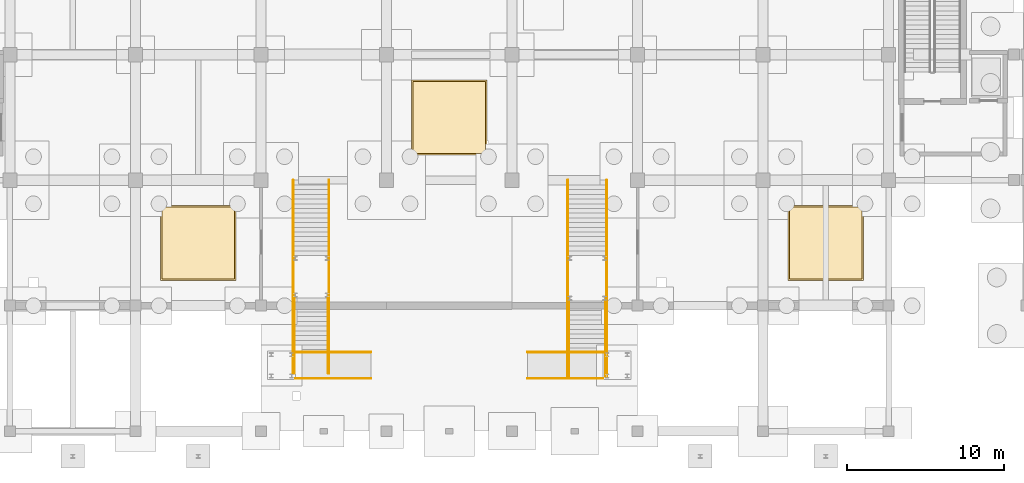
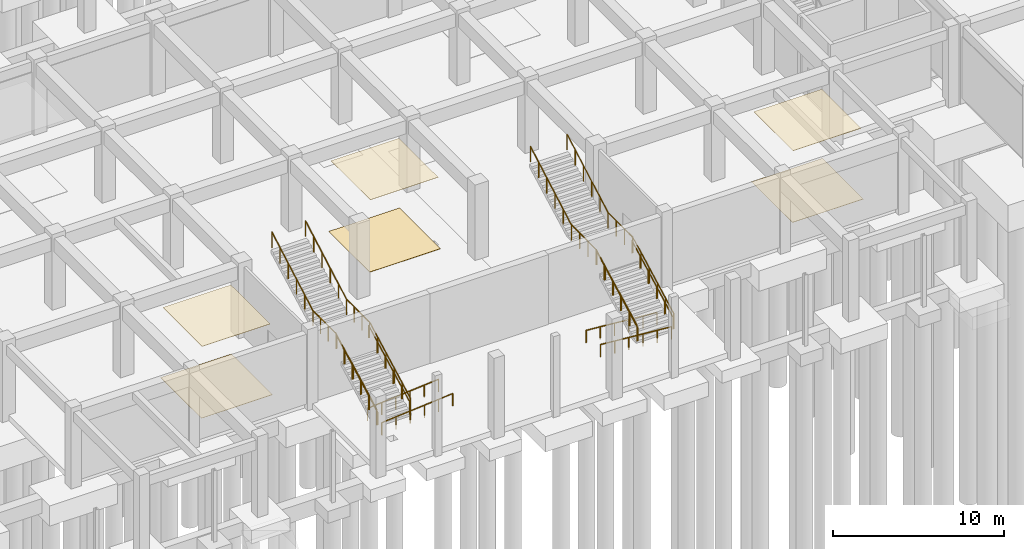
# One storey, part 37 of 45: 12 railings, 6 coverings.
"""IFC4 building model written with IfcOpenShell, lengths in metres."""

from ifc_helpers import new_model, si_unit, direction, frame, origin, origin_2d, place, context, subcontext, project, spatial, rectangle, circle, extrude, material, layer, layer_set, type_object, element, save


model = new_model("IFC4")

# Units and contexts
model_context = context("Model", 3, precision=1e-05, world=origin(), true_north=direction((0.0, 1.0)))
body_context = subcontext(model_context, "Body", "Model", "MODEL_VIEW")
ifc_project = project(units=[si_unit("LENGTHUNIT", "METRE"), si_unit("AREAUNIT", "SQUARE_METRE"), si_unit("VOLUMEUNIT", "CUBIC_METRE"), si_unit("PLANEANGLEUNIT", "RADIAN"), si_unit("MASSUNIT", "GRAM", prefix="KILO")], contexts=[model_context])

# Site, building, storey
site_placement = place(None, origin())
site = spatial("IfcSite", under=ifc_project, at=site_placement, CompositionType="ELEMENT")
building_placement = place(site_placement, origin())
building = spatial("IfcBuilding", under=site, at=building_placement, Name="Kenh Van Central Station", CompositionType="ELEMENT")
storey_placement = place(building_placement, frame((0.0, 0.0, -5.39990234375)))
storey = spatial("IfcBuildingStorey", under=building, at=storey_placement, Name="B1", CompositionType="ELEMENT", Elevation=-5.39990234375)

# Coverings
ifc_material_1 = material(Name="Perforated acoustic mineral ceiling board")
ifc_layer_1 = layer(ifc_material_1, 0.02490234375, Name="Perforated acoustic mineral ceiling board")
ifc_layer_set_1 = layer_set([ifc_layer_1], Name="Perforated acoustic mineral ceiling board")
covering_type_1 = type_object("IfcCoveringType", Name="COV-CEIL-ACOUST", PredefinedType="CEILING", material=ifc_layer_set_1)
for number, where, z_axis, x_axis, name in (
    (1, (84.0, 20.0, 5.076904296875), (0.0, 0.0, 1.0), (1.0, 0.0, 0.0), "B1 acoustic ceiling panel 009"),
    (2, (68.0, 12.0, 5.036865234375), (0.0, 0.0, 1.0), (1.0, 0.0, 0.0), "B1 acoustic ceiling panel 010"),
    (3, (108.0, 12.0, 5.036865234375), (0.0, 0.0, 1.0), (1.0, 0.0, 0.0), "B1 acoustic ceiling panel 011"),
):
    element("IfcCovering", number, at=place(storey_placement, frame(where, z_axis=z_axis, x_axis=x_axis)), inside=storey, type_object=covering_type_1, Name=name, PredefinedType="CEILING", context=body_context, shape_type="SweptSolid", body=[
        extrude(rectangle(XDim=4.60009765625, YDim=4.60009765625, at=origin_2d()), origin(), (0.0, 0.0, 1.0), 0.02490234375),
    ])
ifc_material_2 = material(Name="Polished station granite terrazzo", Category="masonry")
ifc_layer_2 = layer(ifc_material_2, 0.02001953125, Name="Polished station granite terrazzo")
ifc_layer_set_2 = layer_set([ifc_layer_2], Name="Polished station granite terrazzo")
covering_type_2 = type_object("IfcCoveringType", Name="COV-FLR-GRANITE", PredefinedType="FLOORING", material=ifc_layer_set_2)
for number, where, z_axis, x_axis, name in (
    (4, (84.0, 20.0, 0.0), (0.0, 0.0, 1.0), (1.0, 0.0, 0.0), "B1 granite floor finish 009"),
    (5, (68.0, 12.0, 0.0), (0.0, 0.0, 1.0), (1.0, 0.0, 0.0), "B1 granite floor finish 010"),
    (6, (108.0, 12.0, 0.0), (0.0, 0.0, 1.0), (1.0, 0.0, 0.0), "B1 granite floor finish 011"),
):
    element("IfcCovering", number, at=place(storey_placement, frame(where, z_axis=z_axis, x_axis=x_axis)), inside=storey, type_object=covering_type_2, Name=name, PredefinedType="FLOORING", context=body_context, shape_type="SweptSolid", body=[
        extrude(rectangle(XDim=4.800048828125, YDim=4.800048828125, at=origin_2d()), origin(), (0.0, 0.0, 1.0), 0.02001953125),
    ])

# Railings
ifc_material_3 = material(Name="Champagne anodised aluminium", Category="aluminium")
railing_type_1 = type_object("IfcRailingType", Name="RAIL-CORE-HND90", PredefinedType="HANDRAIL", material=ifc_material_3)
for number, where, name in (
    (7, (76.280029296875, 3.699951171875, 0.15869140625), "Metro Forecourt West Amphitheatre Stair handrail 1"),
    (8, (74.1201171875, 3.699951171875, 0.15869140625), "Metro Forecourt West Amphitheatre Stair handrail 2"),
    (9, (93.97998046875, 3.5, 0.15869140625), "Metro Forecourt East Amphitheatre Stair handrail 1"),
    (10, (91.6201171875, 3.5, 0.15869140625), "Metro Forecourt East Amphitheatre Stair handrail 2"),
):
    element("IfcRailing", number, at=place(storey_placement, frame(where)), inside=storey, type_object=railing_type_1, Name=name, PredefinedType="HANDRAIL", context=body_context, shape_type="SweptSolid", body=[
        extrude(circle(Radius=0.02392578125, at=origin_2d()), frame((0.0, 0.0, 0.8759765625), z_axis=(0.0, 0.883783542688, 0.467895981682), x_axis=(-1.0, 0.0, 0.0)), (0.0, 0.0, 1.0), 5.43115234375),
        extrude(circle(Radius=0.02099609375, at=origin_2d()), origin(), (0.0, 0.0, 1.0), 0.851806640625),
        extrude(circle(Radius=0.02099609375, at=origin_2d()), frame((0.0, 0.9599609375, 0.50830078125)), (0.0, 0.0, 1.0), 0.851806640625),
        extrude(circle(Radius=0.02099609375, at=origin_2d()), frame((0.0, 1.919921875, 1.0166015625)), (0.0, 0.0, 1.0), 0.851806640625),
        extrude(circle(Radius=0.02099609375, at=origin_2d()), frame((0.0, 2.880126953125, 1.524658203125)), (0.0, 0.0, 1.0), 0.851806640625),
        extrude(circle(Radius=0.02099609375, at=origin_2d()), frame((0.0, 3.840087890625, 2.032958984375)), (0.0, 0.0, 1.0), 0.851806640625),
        extrude(circle(Radius=0.02099609375, at=origin_2d()), frame((0.0, 4.800048828125, 2.541259765625)), (0.0, 0.0, 1.0), 0.851806640625),
    ])
for number, where, name in (
    (11, (74.199951171875, 3.360107421875, -0.400146484375), "Sunken Metro Plaza West Garden Ramp handrail 1"),
    (12, (74.199951171875, 5.0400390625, -0.400146484375), "Sunken Metro Plaza West Garden Ramp handrail 2"),
):
    element("IfcRailing", number, at=place(storey_placement, frame(where)), inside=storey, type_object=railing_type_1, Name=name, PredefinedType="HANDRAIL", context=body_context, shape_type="SweptSolid", body=[
        extrude(circle(Radius=0.02392578125, at=origin_2d()), frame((0.0, 0.0, 0.8759765625), z_axis=(0.996543310888, 0.0, 0.083074842915), x_axis=(0.0, 1.0, 0.0)), (0.0, 0.0, 1.0), 4.816650390625),
        extrude(circle(Radius=0.02099609375, at=origin_2d()), origin(), (0.0, 0.0, 1.0), 0.851806640625),
        extrude(circle(Radius=0.02099609375, at=origin_2d()), frame((0.9599609375, 0.0, 0.080078125)), (0.0, 0.0, 1.0), 0.851806640625),
        extrude(circle(Radius=0.02099609375, at=origin_2d()), frame((1.919921875, 0.0, 0.16015625)), (0.0, 0.0, 1.0), 0.851806640625),
        extrude(circle(Radius=0.02099609375, at=origin_2d()), frame((2.880126953125, 0.0, 0.239990234375)), (0.0, 0.0, 1.0), 0.851806640625),
        extrude(circle(Radius=0.02099609375, at=origin_2d()), frame((3.840087890625, 0.0, 0.320068359375)), (0.0, 0.0, 1.0), 0.851806640625),
        extrude(circle(Radius=0.02099609375, at=origin_2d()), frame((4.800048828125, 0.0, 0.400146484375)), (0.0, 0.0, 1.0), 0.851806640625),
    ])
for number, where, name in (
    (13, (93.800048828125, 5.0400390625, -0.400146484375), "Sunken Metro Plaza East Garden Ramp handrail 1"),
    (14, (93.800048828125, 3.360107421875, -0.400146484375), "Sunken Metro Plaza East Garden Ramp handrail 2"),
):
    element("IfcRailing", number, at=place(storey_placement, frame(where)), inside=storey, type_object=railing_type_1, Name=name, PredefinedType="HANDRAIL", context=body_context, shape_type="SweptSolid", body=[
        extrude(circle(Radius=0.02392578125, at=origin_2d()), frame((0.0, 0.0, 0.8759765625), z_axis=(-0.996543310888, 0.0, 0.083074842915), x_axis=(0.0, -1.0, 0.0)), (0.0, 0.0, 1.0), 4.816650390625),
        extrude(circle(Radius=0.02099609375, at=origin_2d()), origin(), (0.0, 0.0, 1.0), 0.851806640625),
        extrude(circle(Radius=0.02099609375, at=origin_2d()), frame((-0.9599609375, 0.0, 0.080078125)), (0.0, 0.0, 1.0), 0.851806640625),
        extrude(circle(Radius=0.02099609375, at=origin_2d()), frame((-1.919921875, 0.0, 0.16015625)), (0.0, 0.0, 1.0), 0.851806640625),
        extrude(circle(Radius=0.02099609375, at=origin_2d()), frame((-2.880126953125, 0.0, 0.239990234375)), (0.0, 0.0, 1.0), 0.851806640625),
        extrude(circle(Radius=0.02099609375, at=origin_2d()), frame((-3.840087890625, 0.0, 0.320068359375)), (0.0, 0.0, 1.0), 0.851806640625),
        extrude(circle(Radius=0.02099609375, at=origin_2d()), frame((-4.800048828125, 0.0, 0.400146484375)), (0.0, 0.0, 1.0), 0.851806640625),
    ])
railing_type_2 = type_object("IfcRailingType", Name="RAIL-PUB-BAL112", PredefinedType="BALUSTRADE", material=ifc_material_3)
railing_1_placement = place(storey_placement, frame((76.340087890625, 3.699951171875, 0.15869140625)))
element("IfcRailing", 15, at=railing_1_placement, inside=storey, type_object=railing_type_2, Name="Metro Forecourt West Amphitheatre Stair balustrade 1", PredefinedType="BALUSTRADE", context=body_context, shape_type="SweptSolid", body=[
    extrude(circle(Radius=0.02392578125, at=origin_2d()), frame((0.0, 0.0, 1.09619140625), z_axis=(0.0, 0.883783542688, 0.467895981682), x_axis=(-1.0, 0.0, 0.0)), (0.0, 0.0, 1.0), 5.43115234375),
    extrude(circle(Radius=0.02392578125, at=origin_2d()), frame((0.0, 4.800048828125, 3.63720703125), z_axis=(0.0, 1.0, 0.0), x_axis=(-1.0, 0.0, 0.0)), (0.0, 0.0, 1.0), 2.699951171875),
    extrude(circle(Radius=0.02392578125, at=origin_2d()), frame((0.0, 7.5, 3.63720703125), z_axis=(0.0, 0.871581456561, 0.490250716042), x_axis=(-1.0, 0.0, 0.0)), (0.0, 0.0, 1.0), 5.50732421875),
    extrude(circle(Radius=0.02099609375, at=origin_2d()), origin(), (0.0, 0.0, 1.0), 1.072021484375),
    extrude(circle(Radius=0.02099609375, at=origin_2d()), frame((0.0, 0.9599609375, 0.50830078125)), (0.0, 0.0, 1.0), 1.072021484375),
    extrude(circle(Radius=0.02099609375, at=origin_2d()), frame((0.0, 1.919921875, 1.0166015625)), (0.0, 0.0, 1.0), 1.072021484375),
    extrude(circle(Radius=0.02099609375, at=origin_2d()), frame((0.0, 2.880126953125, 1.524658203125)), (0.0, 0.0, 1.0), 1.072021484375),
    extrude(circle(Radius=0.02099609375, at=origin_2d()), frame((0.0, 3.840087890625, 2.032958984375)), (0.0, 0.0, 1.0), 1.072021484375),
    extrude(circle(Radius=0.02099609375, at=origin_2d()), frame((0.0, 4.800048828125, 2.541259765625)), (0.0, 0.0, 1.0), 1.072021484375),
    extrude(circle(Radius=0.02099609375, at=origin_2d()), frame((0.0, 5.699951171875, 2.541259765625)), (0.0, 0.0, 1.0), 1.072021484375),
    extrude(circle(Radius=0.02099609375, at=origin_2d()), frame((0.0, 6.60009765625, 2.541259765625)), (0.0, 0.0, 1.0), 1.072021484375),
    extrude(circle(Radius=0.02099609375, at=origin_2d()), frame((0.0, 7.5, 2.541259765625)), (0.0, 0.0, 1.0), 1.072021484375),
    extrude(circle(Radius=0.02099609375, at=origin_2d()), frame((0.0, 8.4599609375, 3.081298828125)), (0.0, 0.0, 1.0), 1.072021484375),
    extrude(circle(Radius=0.02099609375, at=origin_2d()), frame((0.0, 9.419921875, 3.621337890625)), (0.0, 0.0, 1.0), 1.072021484375),
    extrude(circle(Radius=0.02099609375, at=origin_2d()), frame((0.0, 10.380126953125, 4.1611328125)), (0.0, 0.0, 1.0), 1.072021484375),
    extrude(circle(Radius=0.02099609375, at=origin_2d()), frame((0.0, 11.340087890625, 4.701171875)), (0.0, 0.0, 1.0), 1.072021484375),
    extrude(circle(Radius=0.02099609375, at=origin_2d()), frame((0.0, 12.300048828125, 5.2412109375)), (0.0, 0.0, 1.0), 1.072021484375),
])
railing_2_placement = place(storey_placement, frame((74.06005859375, 3.699951171875, 0.15869140625)))
element("IfcRailing", 16, at=railing_2_placement, inside=storey, type_object=railing_type_2, Name="Metro Forecourt West Amphitheatre Stair balustrade 2", PredefinedType="BALUSTRADE", context=body_context, shape_type="SweptSolid", body=[
    extrude(circle(Radius=0.02392578125, at=origin_2d()), frame((0.0, 0.0, 1.09619140625), z_axis=(0.0, 0.883783542688, 0.467895981682), x_axis=(-1.0, 0.0, 0.0)), (0.0, 0.0, 1.0), 5.43115234375),
    extrude(circle(Radius=0.02392578125, at=origin_2d()), frame((0.0, 4.800048828125, 3.63720703125), z_axis=(0.0, 1.0, 0.0), x_axis=(-1.0, 0.0, 0.0)), (0.0, 0.0, 1.0), 2.699951171875),
    extrude(circle(Radius=0.02392578125, at=origin_2d()), frame((0.0, 7.5, 3.63720703125), z_axis=(0.0, 0.871581456561, 0.490250716042), x_axis=(-1.0, 0.0, 0.0)), (0.0, 0.0, 1.0), 5.50732421875),
    extrude(circle(Radius=0.02099609375, at=origin_2d()), origin(), (0.0, 0.0, 1.0), 1.072021484375),
    extrude(circle(Radius=0.02099609375, at=origin_2d()), frame((0.0, 0.9599609375, 0.50830078125)), (0.0, 0.0, 1.0), 1.072021484375),
    extrude(circle(Radius=0.02099609375, at=origin_2d()), frame((0.0, 1.919921875, 1.0166015625)), (0.0, 0.0, 1.0), 1.072021484375),
    extrude(circle(Radius=0.02099609375, at=origin_2d()), frame((0.0, 2.880126953125, 1.524658203125)), (0.0, 0.0, 1.0), 1.072021484375),
    extrude(circle(Radius=0.02099609375, at=origin_2d()), frame((0.0, 3.840087890625, 2.032958984375)), (0.0, 0.0, 1.0), 1.072021484375),
    extrude(circle(Radius=0.02099609375, at=origin_2d()), frame((0.0, 4.800048828125, 2.541259765625)), (0.0, 0.0, 1.0), 1.072021484375),
    extrude(circle(Radius=0.02099609375, at=origin_2d()), frame((0.0, 5.699951171875, 2.541259765625)), (0.0, 0.0, 1.0), 1.072021484375),
    extrude(circle(Radius=0.02099609375, at=origin_2d()), frame((0.0, 6.60009765625, 2.541259765625)), (0.0, 0.0, 1.0), 1.072021484375),
    extrude(circle(Radius=0.02099609375, at=origin_2d()), frame((0.0, 7.5, 2.541259765625)), (0.0, 0.0, 1.0), 1.072021484375),
    extrude(circle(Radius=0.02099609375, at=origin_2d()), frame((0.0, 8.4599609375, 3.081298828125)), (0.0, 0.0, 1.0), 1.072021484375),
    extrude(circle(Radius=0.02099609375, at=origin_2d()), frame((0.0, 9.419921875, 3.621337890625)), (0.0, 0.0, 1.0), 1.072021484375),
    extrude(circle(Radius=0.02099609375, at=origin_2d()), frame((0.0, 10.380126953125, 4.1611328125)), (0.0, 0.0, 1.0), 1.072021484375),
    extrude(circle(Radius=0.02099609375, at=origin_2d()), frame((0.0, 11.340087890625, 4.701171875)), (0.0, 0.0, 1.0), 1.072021484375),
    extrude(circle(Radius=0.02099609375, at=origin_2d()), frame((0.0, 12.300048828125, 5.2412109375)), (0.0, 0.0, 1.0), 1.072021484375),
])
railing_3_placement = place(storey_placement, frame((94.0400390625, 3.5, 0.15869140625)))
element("IfcRailing", 17, at=railing_3_placement, inside=storey, type_object=railing_type_2, Name="Metro Forecourt East Amphitheatre Stair balustrade 1", PredefinedType="BALUSTRADE", context=body_context, shape_type="SweptSolid", body=[
    extrude(circle(Radius=0.02392578125, at=origin_2d()), frame((0.0, 0.0, 1.09619140625), z_axis=(0.0, 0.883783542688, 0.467895981682), x_axis=(-1.0, 0.0, 0.0)), (0.0, 0.0, 1.0), 5.43115234375),
    extrude(circle(Radius=0.02392578125, at=origin_2d()), frame((0.0, 4.800048828125, 3.63720703125), z_axis=(0.0, 1.0, 0.0), x_axis=(-1.0, 0.0, 0.0)), (0.0, 0.0, 1.0), 2.89990234375),
    extrude(circle(Radius=0.02392578125, at=origin_2d()), frame((0.0, 7.699951171875, 3.63720703125), z_axis=(0.0, 0.871581456561, 0.490250716042), x_axis=(-1.0, 0.0, 0.0)), (0.0, 0.0, 1.0), 5.50732421875),
    extrude(circle(Radius=0.02099609375, at=origin_2d()), origin(), (0.0, 0.0, 1.0), 1.072021484375),
    extrude(circle(Radius=0.02099609375, at=origin_2d()), frame((0.0, 0.9599609375, 0.50830078125)), (0.0, 0.0, 1.0), 1.072021484375),
    extrude(circle(Radius=0.02099609375, at=origin_2d()), frame((0.0, 1.919921875, 1.0166015625)), (0.0, 0.0, 1.0), 1.072021484375),
    extrude(circle(Radius=0.02099609375, at=origin_2d()), frame((0.0, 2.880126953125, 1.524658203125)), (0.0, 0.0, 1.0), 1.072021484375),
    extrude(circle(Radius=0.02099609375, at=origin_2d()), frame((0.0, 3.840087890625, 2.032958984375)), (0.0, 0.0, 1.0), 1.072021484375),
    extrude(circle(Radius=0.02099609375, at=origin_2d()), frame((0.0, 4.800048828125, 2.541259765625)), (0.0, 0.0, 1.0), 1.072021484375),
    extrude(circle(Radius=0.02099609375, at=origin_2d()), frame((0.0, 5.7666015625, 2.541259765625)), (0.0, 0.0, 1.0), 1.072021484375),
    extrude(circle(Radius=0.02099609375, at=origin_2d()), frame((0.0, 6.7333984375, 2.541259765625)), (0.0, 0.0, 1.0), 1.072021484375),
    extrude(circle(Radius=0.02099609375, at=origin_2d()), frame((0.0, 7.699951171875, 2.541259765625)), (0.0, 0.0, 1.0), 1.072021484375),
    extrude(circle(Radius=0.02099609375, at=origin_2d()), frame((0.0, 8.659912109375, 3.081298828125)), (0.0, 0.0, 1.0), 1.072021484375),
    extrude(circle(Radius=0.02099609375, at=origin_2d()), frame((0.0, 9.619873046875, 3.621337890625)), (0.0, 0.0, 1.0), 1.072021484375),
    extrude(circle(Radius=0.02099609375, at=origin_2d()), frame((0.0, 10.580078125, 4.1611328125)), (0.0, 0.0, 1.0), 1.072021484375),
    extrude(circle(Radius=0.02099609375, at=origin_2d()), frame((0.0, 11.5400390625, 4.701171875)), (0.0, 0.0, 1.0), 1.072021484375),
    extrude(circle(Radius=0.02099609375, at=origin_2d()), frame((0.0, 12.5, 5.2412109375)), (0.0, 0.0, 1.0), 1.072021484375),
])
railing_4_placement = place(storey_placement, frame((91.56005859375, 3.5, 0.15869140625)))
element("IfcRailing", 18, at=railing_4_placement, inside=storey, type_object=railing_type_2, Name="Metro Forecourt East Amphitheatre Stair balustrade 2", PredefinedType="BALUSTRADE", context=body_context, shape_type="SweptSolid", body=[
    extrude(circle(Radius=0.02392578125, at=origin_2d()), frame((0.0, 0.0, 1.09619140625), z_axis=(0.0, 0.883783542688, 0.467895981682), x_axis=(-1.0, 0.0, 0.0)), (0.0, 0.0, 1.0), 5.43115234375),
    extrude(circle(Radius=0.02392578125, at=origin_2d()), frame((0.0, 4.800048828125, 3.63720703125), z_axis=(0.0, 1.0, 0.0), x_axis=(-1.0, 0.0, 0.0)), (0.0, 0.0, 1.0), 2.89990234375),
    extrude(circle(Radius=0.02392578125, at=origin_2d()), frame((0.0, 7.699951171875, 3.63720703125), z_axis=(0.0, 0.871581456561, 0.490250716042), x_axis=(-1.0, 0.0, 0.0)), (0.0, 0.0, 1.0), 5.50732421875),
    extrude(circle(Radius=0.02099609375, at=origin_2d()), origin(), (0.0, 0.0, 1.0), 1.072021484375),
    extrude(circle(Radius=0.02099609375, at=origin_2d()), frame((0.0, 0.9599609375, 0.50830078125)), (0.0, 0.0, 1.0), 1.072021484375),
    extrude(circle(Radius=0.02099609375, at=origin_2d()), frame((0.0, 1.919921875, 1.0166015625)), (0.0, 0.0, 1.0), 1.072021484375),
    extrude(circle(Radius=0.02099609375, at=origin_2d()), frame((0.0, 2.880126953125, 1.524658203125)), (0.0, 0.0, 1.0), 1.072021484375),
    extrude(circle(Radius=0.02099609375, at=origin_2d()), frame((0.0, 3.840087890625, 2.032958984375)), (0.0, 0.0, 1.0), 1.072021484375),
    extrude(circle(Radius=0.02099609375, at=origin_2d()), frame((0.0, 4.800048828125, 2.541259765625)), (0.0, 0.0, 1.0), 1.072021484375),
    extrude(circle(Radius=0.02099609375, at=origin_2d()), frame((0.0, 5.7666015625, 2.541259765625)), (0.0, 0.0, 1.0), 1.072021484375),
    extrude(circle(Radius=0.02099609375, at=origin_2d()), frame((0.0, 6.7333984375, 2.541259765625)), (0.0, 0.0, 1.0), 1.072021484375),
    extrude(circle(Radius=0.02099609375, at=origin_2d()), frame((0.0, 7.699951171875, 2.541259765625)), (0.0, 0.0, 1.0), 1.072021484375),
    extrude(circle(Radius=0.02099609375, at=origin_2d()), frame((0.0, 8.659912109375, 3.081298828125)), (0.0, 0.0, 1.0), 1.072021484375),
    extrude(circle(Radius=0.02099609375, at=origin_2d()), frame((0.0, 9.619873046875, 3.621337890625)), (0.0, 0.0, 1.0), 1.072021484375),
    extrude(circle(Radius=0.02099609375, at=origin_2d()), frame((0.0, 10.580078125, 4.1611328125)), (0.0, 0.0, 1.0), 1.072021484375),
    extrude(circle(Radius=0.02099609375, at=origin_2d()), frame((0.0, 11.5400390625, 4.701171875)), (0.0, 0.0, 1.0), 1.072021484375),
    extrude(circle(Radius=0.02099609375, at=origin_2d()), frame((0.0, 12.5, 5.2412109375)), (0.0, 0.0, 1.0), 1.072021484375),
])

save(model, "model.ifc")
